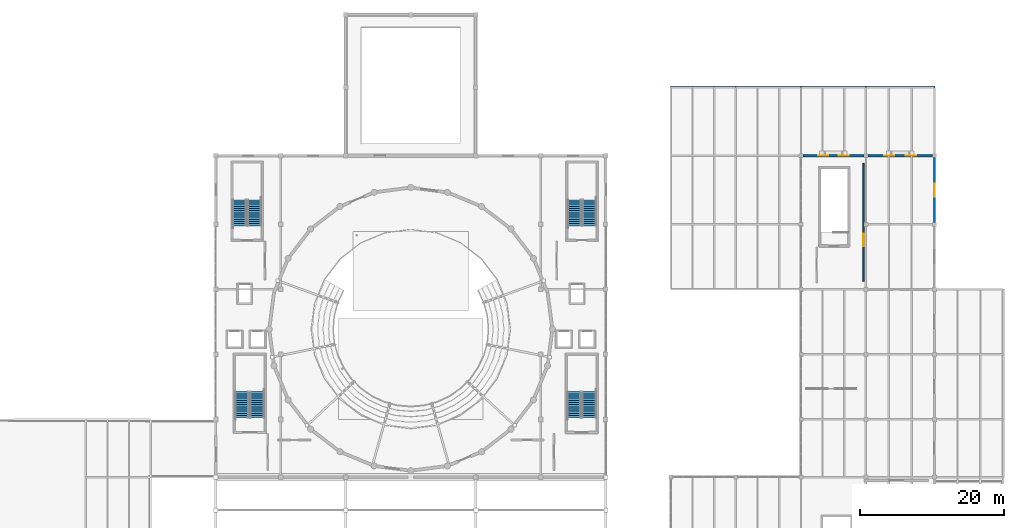
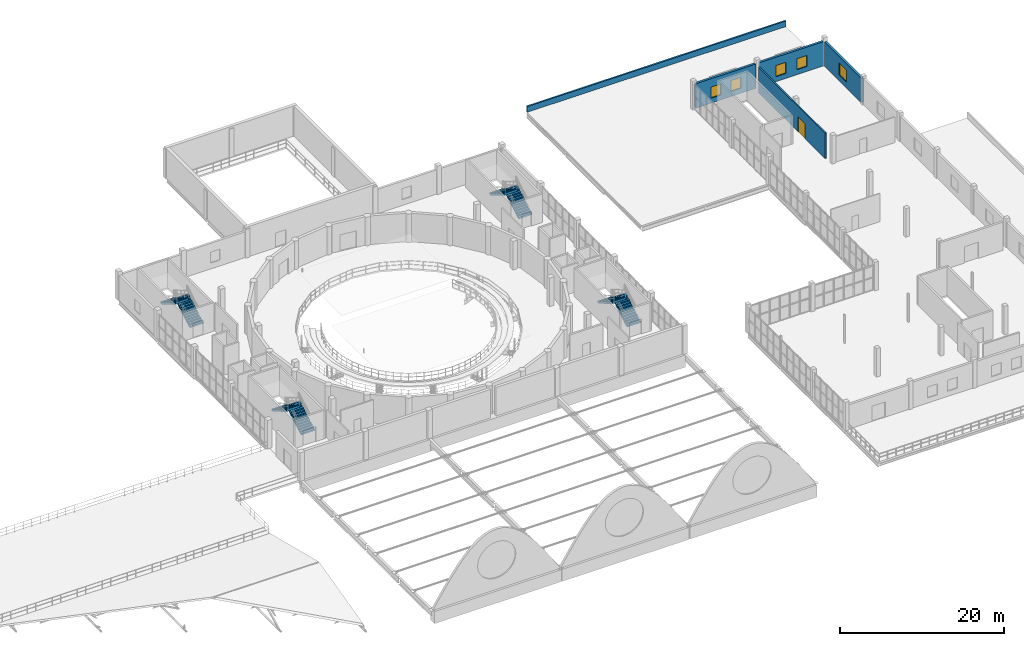
# One storey, part 45 of 54: 8 stair flights, 5 walls, 5 windows, 1 door, 6 openings, 4 elements without a shape of their own.
"""IFC4 building model written with IfcOpenShell, lengths in metres."""

from ifc_helpers import new_model, si_unit, direction, frame, frame_2d, origin, place, context, subcontext, project, spatial, polyline, rectangle, outline, extrude, material, layer, layer_set, type_object, element, fill, aggregate, save


model = new_model("IFC4")

# Units and contexts
model_context = context("Model", 3, precision=1e-05, world=origin(), true_north=direction((0.0, 1.0)))
body_context = subcontext(model_context, "Body", "Model", "MODEL_VIEW")
ifc_project = project(units=[si_unit("LENGTHUNIT", "METRE"), si_unit("AREAUNIT", "SQUARE_METRE"), si_unit("VOLUMEUNIT", "CUBIC_METRE"), si_unit("PLANEANGLEUNIT", "RADIAN"), si_unit("MASSUNIT", "GRAM", prefix="KILO")], contexts=[model_context])

# Site, building, storey
site_placement = place(None, origin())
site = spatial("IfcSite", under=ifc_project, at=site_placement, CompositionType="ELEMENT")
building_placement = place(site_placement, origin())
building = spatial("IfcBuilding", under=site, at=building_placement, Name="Marnock Terrace Opera House", CompositionType="ELEMENT")
storey_placement = place(building_placement, frame((0.0, 0.0, 19.199951171875)))
storey = spatial("IfcBuildingStorey", under=building, at=storey_placement, Name="L04", CompositionType="ELEMENT", Elevation=19.199951171875)

# Wall, opening, window
ifc_material_1 = material(Name="Basket Range sandstone ashlar masonry", Category="masonry")
ifc_layer_1 = layer(ifc_material_1, 0.31005859375)
ifc_layer_set_1 = layer_set([ifc_layer_1], Name="Basket Range sandstone ashlar masonry")
wall_type_1 = type_object("IfcWallType", Name="EW-ATTIC-310", PredefinedType="SOLIDWALL", material=ifc_layer_set_1)
wall_1_placement = place(storey_placement, frame((154.5, 75.27099609375, 0.0), z_axis=(0.0, 0.0, 1.0), x_axis=(0.0, 1.0, 0.0)))
wall_1 = element("IfcWall", 1, at=wall_1_placement, inside=storey, type_object=wall_type_1, Name="L04 Volume 5 east sandstone facade 9", PredefinedType="SOLIDWALL", context=body_context, shape_type="SweptSolid", body=[
    extrude(rectangle(XDim=8.9580078125, YDim=0.31005859375, at=frame_2d((4.47900390625, 0.0))), origin(), (0.0, 0.0, 1.0), 3.64794921875),
])
opening_1_placement = place(wall_1_placement, frame((3.5791015625, 0.0, 0.85009765625)))
opening_1 = element("IfcOpeningElement", 2, at=opening_1_placement, cuts=wall_1, Name="Opening WT-16", PredefinedType="OPENING", context=body_context, shape_type="SweptSolid", body=[
    extrude(rectangle(XDim=1.800048828125, YDim=1.800048828125, at=frame_2d((0.89990234375, 0.89990234375))), frame((0.0, 0.1650390625, 0.0), z_axis=(0.0, -1.0, 0.0), x_axis=(1.0, 0.0, 0.0)), (0.0, 0.0, 1.0), 0.330078125),
])
ifc_material_2 = material(Name="Double-glazed acoustic low-E laminated glass", Category="glass")
window_type_1 = type_object("IfcWindowType", Name="WT-ATTIC-1800", PartitioningType="DOUBLE_PANEL_VERTICAL", PredefinedType="WINDOW", material=ifc_material_2)
window_1_placement = place(opening_1_placement, origin())
window_1 = element("IfcWindow", 3, at=window_1_placement, inside=storey, type_object=window_type_1, Name="L04 facade window EW-V5E-L04-09.1", OverallHeight=1.800048828125, OverallWidth=1.800048828125, PartitioningType="SINGLE_PANEL", PredefinedType="WINDOW", context=body_context, shape_type="SweptSolid", body=[
    extrude(rectangle(XDim=1.800048828125, YDim=1.800048828125, at=frame_2d((0.89990234375, 0.89990234375))), frame((0.0, 0.030029296875, 0.0), z_axis=(0.0, -1.0, 0.0), x_axis=(1.0, 0.0, 0.0)), (0.0, 0.0, 1.0), 0.06005859375),
])
fill(opening_1, window_1)

# Wall, openings, windows
wall_2_placement = place(storey_placement, frame((136.27099609375, 84.5, 0.0), z_axis=(0.0, 0.0, 1.0), x_axis=(1.0, 0.0, 0.0)))
wall_2 = element("IfcWall", 4, at=wall_2_placement, inside=storey, type_object=wall_type_1, Name="L04 Volume 5 north parklands facade 1", PredefinedType="SOLIDWALL", context=body_context, shape_type="SweptSolid", body=[
    extrude(rectangle(XDim=8.4580078125, YDim=0.31005859375, at=frame_2d((4.22900390625, 0.0))), origin(), (0.0, 0.0, 1.0), 3.64306640625),
])
opening_2_placement = place(wall_2_placement, frame((2.119384765625, 0.0, 0.75)))
opening_2 = element("IfcOpeningElement", 5, at=opening_2_placement, cuts=wall_2, Name="Opening WT-138", PredefinedType="OPENING", context=body_context, shape_type="SweptSolid", body=[
    extrude(rectangle(XDim=1.39990234375, YDim=1.64990234375, at=frame_2d((0.699951171875, 0.824951171875))), frame((0.0, 0.1650390625, 0.0), z_axis=(0.0, -1.0, 0.0), x_axis=(1.0, 0.0, 0.0)), (0.0, 0.0, 1.0), 0.330078125),
])
opening_3_placement = place(wall_2_placement, frame((4.938720703125, 0.0, 0.75)))
opening_3 = element("IfcOpeningElement", 6, at=opening_3_placement, cuts=wall_2, Name="Opening WT-138", PredefinedType="OPENING", context=body_context, shape_type="SweptSolid", body=[
    extrude(rectangle(XDim=1.39990234375, YDim=1.64990234375, at=frame_2d((0.699951171875, 0.824951171875))), frame((0.0, 0.1650390625, 0.0), z_axis=(0.0, -1.0, 0.0), x_axis=(1.0, 0.0, 0.0)), (0.0, 0.0, 1.0), 0.330078125),
])
window_type_2 = type_object("IfcWindowType", Name="WT-ATTIC-1400", PartitioningType="SINGLE_PANEL", PredefinedType="WINDOW", material=ifc_material_2)
window_2_placement = place(opening_2_placement, origin())
window_2 = element("IfcWindow", 7, at=window_2_placement, inside=storey, type_object=window_type_2, Name="L04 facade window EW-V5N-L04-1.1", OverallHeight=1.64990234375, OverallWidth=1.39990234375, PartitioningType="SINGLE_PANEL", PredefinedType="WINDOW", context=body_context, shape_type="SweptSolid", body=[
    extrude(rectangle(XDim=1.39990234375, YDim=1.64990234375, at=frame_2d((0.699951171875, 0.824951171875))), frame((0.0, 0.030029296875, 0.0), z_axis=(0.0, -1.0, 0.0), x_axis=(1.0, 0.0, 0.0)), (0.0, 0.0, 1.0), 0.06005859375),
])
fill(opening_2, window_2)
window_3_placement = place(opening_3_placement, origin())
window_3 = element("IfcWindow", 8, at=window_3_placement, inside=storey, type_object=window_type_2, Name="L04 facade window EW-V5N-L04-1.2", OverallHeight=1.64990234375, OverallWidth=1.39990234375, PartitioningType="SINGLE_PANEL", PredefinedType="WINDOW", context=body_context, shape_type="SweptSolid", body=[
    extrude(rectangle(XDim=1.39990234375, YDim=1.64990234375, at=frame_2d((0.699951171875, 0.824951171875))), frame((0.0, 0.030029296875, 0.0), z_axis=(0.0, -1.0, 0.0), x_axis=(1.0, 0.0, 0.0)), (0.0, 0.0, 1.0), 0.06005859375),
])
fill(opening_3, window_3)

wall_3_placement = place(storey_placement, frame((145.27099609375, 84.5, 0.0), z_axis=(0.0, 0.0, 1.0), x_axis=(1.0, 0.0, 0.0)))
wall_3 = element("IfcWall", 9, at=wall_3_placement, inside=storey, type_object=wall_type_1, Name="L04 Volume 5 north parklands facade 2", PredefinedType="SOLIDWALL", context=body_context, shape_type="SweptSolid", body=[
    extrude(rectangle(XDim=8.9580078125, YDim=0.31005859375, at=frame_2d((4.47900390625, 0.0))), origin(), (0.0, 0.0, 1.0), 3.638427734375),
])
opening_4_placement = place(wall_3_placement, frame((2.285888671875, 0.0, 0.75)))
opening_4 = element("IfcOpeningElement", 10, at=opening_4_placement, cuts=wall_3, Name="Opening WT-138", PredefinedType="OPENING", context=body_context, shape_type="SweptSolid", body=[
    extrude(rectangle(XDim=1.39990234375, YDim=1.64990234375, at=frame_2d((0.699951171875, 0.824951171875))), frame((0.0, 0.1650390625, 0.0), z_axis=(0.0, -1.0, 0.0), x_axis=(1.0, 0.0, 0.0)), (0.0, 0.0, 1.0), 0.330078125),
])
opening_5_placement = place(wall_3_placement, frame((5.27197265625, 0.0, 0.75)))
opening_5 = element("IfcOpeningElement", 11, at=opening_5_placement, cuts=wall_3, Name="Opening WT-138", PredefinedType="OPENING", context=body_context, shape_type="SweptSolid", body=[
    extrude(rectangle(XDim=1.39990234375, YDim=1.64990234375, at=frame_2d((0.699951171875, 0.824951171875))), frame((0.0, 0.1650390625, 0.0), z_axis=(0.0, -1.0, 0.0), x_axis=(1.0, 0.0, 0.0)), (0.0, 0.0, 1.0), 0.330078125),
])
window_4_placement = place(opening_4_placement, origin())
window_4 = element("IfcWindow", 12, at=window_4_placement, inside=storey, type_object=window_type_2, Name="L04 facade window EW-V5N-L04-2.1", OverallHeight=1.64990234375, OverallWidth=1.39990234375, PartitioningType="SINGLE_PANEL", PredefinedType="WINDOW", context=body_context, shape_type="SweptSolid", body=[
    extrude(rectangle(XDim=1.39990234375, YDim=1.64990234375, at=frame_2d((0.699951171875, 0.824951171875))), frame((0.0, 0.030029296875, 0.0), z_axis=(0.0, -1.0, 0.0), x_axis=(1.0, 0.0, 0.0)), (0.0, 0.0, 1.0), 0.06005859375),
])
fill(opening_4, window_4)
window_5_placement = place(opening_5_placement, origin())
window_5 = element("IfcWindow", 13, at=window_5_placement, inside=storey, type_object=window_type_2, Name="L04 facade window EW-V5N-L04-2.2", OverallHeight=1.64990234375, OverallWidth=1.39990234375, PartitioningType="SINGLE_PANEL", PredefinedType="WINDOW", context=body_context, shape_type="SweptSolid", body=[
    extrude(rectangle(XDim=1.39990234375, YDim=1.64990234375, at=frame_2d((0.699951171875, 0.824951171875))), frame((0.0, 0.030029296875, 0.0), z_axis=(0.0, -1.0, 0.0), x_axis=(1.0, 0.0, 0.0)), (0.0, 0.0, 1.0), 0.06005859375),
])
fill(opening_5, window_5)

# Wall
ifc_material_3 = material(Name="Pale hydraulic lime architectural render on masonry", Category="masonry")
ifc_layer_2 = layer(ifc_material_3, 0.22998046875)
ifc_layer_set_2 = layer_set([ifc_layer_2], Name="Pale hydraulic lime architectural render on masonry")
wall_type_2 = type_object("IfcWallType", Name="EW-PARA-230", PredefinedType="PARAPET", material=ifc_layer_set_2)
wall_4_placement = place(storey_placement, frame((118.0, 94.0, 0.0), z_axis=(0.0, 0.0, 1.0), x_axis=(1.0, 0.0, 0.0)))
element("IfcWall", 14, at=wall_4_placement, inside=storey, type_object=wall_type_2, Name="Stone parapet PARA-V5-L04-N", PredefinedType="PARAPET", context=body_context, shape_type="SweptSolid", body=[
    extrude(rectangle(XDim=36.5, YDim=0.22998046875, at=frame_2d((18.25, 0.0))), origin(), (0.0, 0.0, 1.0), 0.85009765625),
])

# Wall, opening, door
ifc_material_4 = material(Name="Rendered acoustic concrete blockwork", Category="masonry")
ifc_layer_3 = layer(ifc_material_4, 0.195068359375)
ifc_layer_set_3 = layer_set([ifc_layer_3], Name="Rendered acoustic concrete blockwork")
wall_type_3 = type_object("IfcWallType", Name="IW-FIRE-195", PredefinedType="PARTITIONING", material=ifc_layer_set_3)
wall_5_placement = place(storey_placement, frame((144.64990234375, 67.14990234375, 0.0), z_axis=(0.0, 0.0, 1.0), x_axis=(0.0, 1.0, 0.0)))
wall_5 = element("IfcWall", 15, at=wall_5_placement, inside=storey, type_object=wall_type_3, Name="L04 East Attic AHU Plant Room acoustic partition wall", PredefinedType="PARTITIONING", context=body_context, shape_type="SweptSolid", body=[
    extrude(rectangle(XDim=16.300048828125, YDim=0.195068359375, at=frame_2d((8.14990234375, 0.0))), origin(), (0.0, 0.0, 1.0), 3.792724609375),
])
opening_6_placement = place(wall_5_placement, frame((4.85498046875, 0.0, 0.0)))
opening_6 = element("IfcOpeningElement", 16, at=opening_6_placement, cuts=wall_5, Name="Opening D-L04-09", PredefinedType="OPENING", context=body_context, shape_type="SweptSolid", body=[
    extrude(rectangle(XDim=1.699951171875, YDim=2.25, at=frame_2d((0.85009765625, 1.125))), frame((0.0, 0.107421875, 0.0), z_axis=(0.0, -1.0, 0.0), x_axis=(1.0, 0.0, 0.0)), (0.0, 0.0, 1.0), 0.215087890625),
])
ifc_material_5 = material(Name="Fire-rated acoustic timber-core door assembly", Category="wood")
door_type = type_object("IfcDoorType", Name="DT-PLANT-1700", OperationType="NOTDEFINED", PredefinedType="DOOR", material=ifc_material_5)
door_placement = place(opening_6_placement, origin())
door = element("IfcDoor", 17, at=door_placement, inside=storey, type_object=door_type, Name="L04 East Attic AHU Plant Room entrance door", OperationType="SINGLE_SWING_RIGHT", OverallHeight=2.25, OverallWidth=1.699951171875, PredefinedType="DOOR", context=body_context, shape_type="SweptSolid", body=[
    extrude(rectangle(XDim=1.699951171875, YDim=2.25, at=frame_2d((0.85009765625, 1.125))), frame((0.0, 0.02490234375, 0.0), z_axis=(0.0, -1.0, 0.0), x_axis=(1.0, 0.0, 0.0)), (0.0, 0.0, 1.0), 0.050048828125),
])
fill(opening_6, door)

# Stair, stair flights
ifc_material_6 = material(Name="Concrete N40 (f'c = 40 MPa)", Category="concrete")
stair_type_1 = type_object("IfcStairType", Name="ST-TYPE-2400", PredefinedType="HALF_TURN_STAIR", material=ifc_material_6)
stair_1_placement = place(storey_placement, origin())
stair_1 = element("IfcStair", 18, at=stair_1_placement, inside=storey, type_object=stair_type_1, Name="L04 ST-03", PredefinedType="HALF_TURN_STAIR")
stair_flight_type_1 = type_object("IfcStairFlightType", Name="FLT-TYPE-2400", PredefinedType="STRAIGHT", material=ifc_material_6)
stair_flight_1_placement = place(storey_placement, frame((60.3798828125, 74.800048828125, 0.0), z_axis=(0.0, 0.0, 1.0), x_axis=(0.0, 1.0, 0.0)))
stair_flight_1 = element("IfcStairFlight", 19, at=stair_flight_1_placement, type_object=stair_flight_type_1, Name="ST-03 flight 1", NumberOfRisers=13, NumberOfTreads=12, PredefinedType="STRAIGHT", RiserHeight=0.173076923, TreadLength=0.3, context=body_context, shape_type="SweptSolid", body=[
    extrude(outline(polyline([(-0.00048828125, -0.06005859375), (-0.00048828125, 0.0), (0.0, 0.0), (0.0, 0.173095703125), (0.300048828125, 0.173095703125), (0.300048828125, 0.34619140625), (0.60009765625, 0.34619140625), (0.60009765625, 0.519287109375), (0.89990234375, 0.519287109375), (0.89990234375, 0.6923828125), (1.199951171875, 0.6923828125), (1.199951171875, 0.865478515625), (1.5, 0.865478515625), (1.5, 1.03857421875), (1.800048828125, 1.03857421875), (1.800048828125, 1.21142578125), (2.10009765625, 1.21142578125), (2.10009765625, 1.384521484375), (2.39990234375, 1.384521484375), (2.39990234375, 1.5576171875), (2.699951171875, 1.5576171875), (2.699951171875, 1.730712890625), (3.0, 1.730712890625), (3.0, 1.90380859375), (3.300048828125, 1.90380859375), (3.300048828125, 2.076904296875), (3.60009765625, 2.076904296875), (3.60009765625, 2.25), (3.6005859375, 2.25), (3.6005859375, 1.90380859375), (3.60009765625, 1.90380859375), (0.300048828125, -0.06005859375), (-0.00048828125, -0.06005859375)])), frame((0.0, 0.93994140625, 0.0), z_axis=(0.0, -1.0, 0.0), x_axis=(1.0, 0.0, 0.0)), (0.0, 0.0, 1.0), 1.8798828125),
])
stair_flight_2_placement = place(storey_placement, frame((58.300048828125, 78.39990234375, 2.25), z_axis=(0.0, 0.0, 1.0), x_axis=(0.0, -1.0, 0.0)))
stair_flight_2 = element("IfcStairFlight", 20, at=stair_flight_2_placement, type_object=stair_flight_type_1, Name="ST-03 flight 2", NumberOfRisers=13, NumberOfTreads=12, PredefinedType="STRAIGHT", RiserHeight=0.173076923, TreadLength=0.3, context=body_context, shape_type="SweptSolid", body=[
    extrude(outline(polyline([(-0.00048828125, -0.06005859375), (-0.00048828125, 0.0), (0.0, 0.0), (0.0, 0.173095703125), (0.300048828125, 0.173095703125), (0.300048828125, 0.34619140625), (0.60009765625, 0.34619140625), (0.60009765625, 0.519287109375), (0.89990234375, 0.519287109375), (0.89990234375, 0.6923828125), (1.199951171875, 0.6923828125), (1.199951171875, 0.865478515625), (1.5, 0.865478515625), (1.5, 1.03857421875), (1.800048828125, 1.03857421875), (1.800048828125, 1.21142578125), (2.10009765625, 1.21142578125), (2.10009765625, 1.384521484375), (2.39990234375, 1.384521484375), (2.39990234375, 1.5576171875), (2.699951171875, 1.5576171875), (2.699951171875, 1.730712890625), (3.0, 1.730712890625), (3.0, 1.90380859375), (3.300048828125, 1.90380859375), (3.300048828125, 2.076904296875), (3.60009765625, 2.076904296875), (3.60009765625, 2.25), (3.6005859375, 2.25), (3.6005859375, 1.90380859375), (3.60009765625, 1.90380859375), (0.300048828125, -0.06005859375), (-0.00048828125, -0.06005859375)])), frame((0.0, 0.93994140625, 0.0), z_axis=(0.0, -1.0, 0.0), x_axis=(1.0, 0.0, 0.0)), (0.0, 0.0, 1.0), 1.8798828125),
])
aggregate(stair_1, [stair_flight_1, stair_flight_2])

stair_2_placement = place(storey_placement, origin())
stair_2 = element("IfcStair", 21, at=stair_2_placement, inside=storey, type_object=stair_type_1, Name="L04 ST-04", PredefinedType="HALF_TURN_STAIR")
stair_flight_3_placement = place(storey_placement, frame((106.739990234375, 74.800048828125, 0.0), z_axis=(0.0, 0.0, 1.0), x_axis=(0.0, 1.0, 0.0)))
stair_flight_3 = element("IfcStairFlight", 22, at=stair_flight_3_placement, type_object=stair_flight_type_1, Name="ST-04 flight 1", NumberOfRisers=13, NumberOfTreads=12, PredefinedType="STRAIGHT", RiserHeight=0.173076923, TreadLength=0.3, context=body_context, shape_type="SweptSolid", body=[
    extrude(outline(polyline([(-0.00048828125, -0.06005859375), (-0.00048828125, 0.0), (0.0, 0.0), (0.0, 0.173095703125), (0.300048828125, 0.173095703125), (0.300048828125, 0.34619140625), (0.60009765625, 0.34619140625), (0.60009765625, 0.519287109375), (0.89990234375, 0.519287109375), (0.89990234375, 0.6923828125), (1.199951171875, 0.6923828125), (1.199951171875, 0.865478515625), (1.5, 0.865478515625), (1.5, 1.03857421875), (1.800048828125, 1.03857421875), (1.800048828125, 1.21142578125), (2.10009765625, 1.21142578125), (2.10009765625, 1.384521484375), (2.39990234375, 1.384521484375), (2.39990234375, 1.5576171875), (2.699951171875, 1.5576171875), (2.699951171875, 1.730712890625), (3.0, 1.730712890625), (3.0, 1.90380859375), (3.300048828125, 1.90380859375), (3.300048828125, 2.076904296875), (3.60009765625, 2.076904296875), (3.60009765625, 2.25), (3.6005859375, 2.25), (3.6005859375, 1.90380859375), (3.60009765625, 1.90380859375), (0.300048828125, -0.06005859375), (-0.00048828125, -0.06005859375)])), frame((0.0, 0.93994140625, 0.0), z_axis=(0.0, -1.0, 0.0), x_axis=(1.0, 0.0, 0.0)), (0.0, 0.0, 1.0), 1.8798828125),
])
stair_flight_4_placement = place(storey_placement, frame((104.659912109375, 78.39990234375, 2.25), z_axis=(0.0, 0.0, 1.0), x_axis=(0.0, -1.0, 0.0)))
stair_flight_4 = element("IfcStairFlight", 23, at=stair_flight_4_placement, type_object=stair_flight_type_1, Name="ST-04 flight 2", NumberOfRisers=13, NumberOfTreads=12, PredefinedType="STRAIGHT", RiserHeight=0.173076923, TreadLength=0.3, context=body_context, shape_type="SweptSolid", body=[
    extrude(outline(polyline([(-0.00048828125, -0.06005859375), (-0.00048828125, 0.0), (0.0, 0.0), (0.0, 0.173095703125), (0.300048828125, 0.173095703125), (0.300048828125, 0.34619140625), (0.60009765625, 0.34619140625), (0.60009765625, 0.519287109375), (0.89990234375, 0.519287109375), (0.89990234375, 0.6923828125), (1.199951171875, 0.6923828125), (1.199951171875, 0.865478515625), (1.5, 0.865478515625), (1.5, 1.03857421875), (1.800048828125, 1.03857421875), (1.800048828125, 1.21142578125), (2.10009765625, 1.21142578125), (2.10009765625, 1.384521484375), (2.39990234375, 1.384521484375), (2.39990234375, 1.5576171875), (2.699951171875, 1.5576171875), (2.699951171875, 1.730712890625), (3.0, 1.730712890625), (3.0, 1.90380859375), (3.300048828125, 1.90380859375), (3.300048828125, 2.076904296875), (3.60009765625, 2.076904296875), (3.60009765625, 2.25), (3.6005859375, 2.25), (3.6005859375, 1.90380859375), (3.60009765625, 1.90380859375), (0.300048828125, -0.06005859375), (-0.00048828125, -0.06005859375)])), frame((0.0, 0.93994140625, 0.0), z_axis=(0.0, -1.0, 0.0), x_axis=(1.0, 0.0, 0.0)), (0.0, 0.0, 1.0), 1.8798828125),
])
aggregate(stair_2, [stair_flight_3, stair_flight_4])

stair_type_2 = type_object("IfcStairType", Name="ST-TYPE-2600", PredefinedType="HALF_TURN_STAIR", material=ifc_material_6)
stair_3_placement = place(storey_placement, origin())
stair_3 = element("IfcStair", 24, at=stair_3_placement, inside=storey, type_object=stair_type_2, Name="L04 ST-01", PredefinedType="HALF_TURN_STAIR")
stair_flight_type_2 = type_object("IfcStairFlightType", Name="FLT-TYPE-2600", PredefinedType="STRAIGHT", material=ifc_material_6)
stair_flight_5_placement = place(storey_placement, frame((60.760009765625, 48.239990234375, 0.0), z_axis=(0.0, 0.0, 1.0), x_axis=(0.0, 1.0, 0.0)))
stair_flight_5 = element("IfcStairFlight", 25, at=stair_flight_5_placement, type_object=stair_flight_type_2, Name="ST-01 flight 1", NumberOfRisers=13, NumberOfTreads=12, PredefinedType="STRAIGHT", RiserHeight=0.173076923, TreadLength=0.3, context=body_context, shape_type="SweptSolid", body=[
    extrude(outline(polyline([(-0.00048828125, -0.06005859375), (-0.00048828125, 0.0), (0.0, 0.0), (0.0, 0.173095703125), (0.300048828125, 0.173095703125), (0.300048828125, 0.34619140625), (0.60009765625, 0.34619140625), (0.60009765625, 0.519287109375), (0.89990234375, 0.519287109375), (0.89990234375, 0.6923828125), (1.199951171875, 0.6923828125), (1.199951171875, 0.865478515625), (1.5, 0.865478515625), (1.5, 1.03857421875), (1.800048828125, 1.03857421875), (1.800048828125, 1.21142578125), (2.10009765625, 1.21142578125), (2.10009765625, 1.384521484375), (2.39990234375, 1.384521484375), (2.39990234375, 1.5576171875), (2.699951171875, 1.5576171875), (2.699951171875, 1.730712890625), (3.0, 1.730712890625), (3.0, 1.90380859375), (3.300048828125, 1.90380859375), (3.300048828125, 2.076904296875), (3.60009765625, 2.076904296875), (3.60009765625, 2.25), (3.6005859375, 2.25), (3.6005859375, 1.90380859375), (3.60009765625, 1.90380859375), (0.300048828125, -0.06005859375), (-0.00048828125, -0.06005859375)])), frame((0.0, 0.9599609375, 0.0), z_axis=(0.0, -1.0, 0.0), x_axis=(1.0, 0.0, 0.0)), (0.0, 0.0, 1.0), 1.919921875),
])
stair_flight_6_placement = place(storey_placement, frame((58.639892578125, 51.840087890625, 2.25), z_axis=(0.0, 0.0, 1.0), x_axis=(0.0, -1.0, 0.0)))
stair_flight_6 = element("IfcStairFlight", 26, at=stair_flight_6_placement, type_object=stair_flight_type_2, Name="ST-01 flight 2", NumberOfRisers=13, NumberOfTreads=12, PredefinedType="STRAIGHT", RiserHeight=0.173076923, TreadLength=0.3, context=body_context, shape_type="SweptSolid", body=[
    extrude(outline(polyline([(-0.00048828125, -0.06005859375), (-0.00048828125, 0.0), (0.0, 0.0), (0.0, 0.173095703125), (0.300048828125, 0.173095703125), (0.300048828125, 0.34619140625), (0.60009765625, 0.34619140625), (0.60009765625, 0.519287109375), (0.89990234375, 0.519287109375), (0.89990234375, 0.6923828125), (1.199951171875, 0.6923828125), (1.199951171875, 0.865478515625), (1.5, 0.865478515625), (1.5, 1.03857421875), (1.800048828125, 1.03857421875), (1.800048828125, 1.21142578125), (2.10009765625, 1.21142578125), (2.10009765625, 1.384521484375), (2.39990234375, 1.384521484375), (2.39990234375, 1.5576171875), (2.699951171875, 1.5576171875), (2.699951171875, 1.730712890625), (3.0, 1.730712890625), (3.0, 1.90380859375), (3.300048828125, 1.90380859375), (3.300048828125, 2.076904296875), (3.60009765625, 2.076904296875), (3.60009765625, 2.25), (3.6005859375, 2.25), (3.6005859375, 1.90380859375), (3.60009765625, 1.90380859375), (0.300048828125, -0.06005859375), (-0.00048828125, -0.06005859375)])), frame((0.0, 0.9599609375, 0.0), z_axis=(0.0, -1.0, 0.0), x_axis=(1.0, 0.0, 0.0)), (0.0, 0.0, 1.0), 1.919921875),
])
aggregate(stair_3, [stair_flight_5, stair_flight_6])

stair_4_placement = place(storey_placement, origin())
stair_4 = element("IfcStair", 27, at=stair_4_placement, inside=storey, type_object=stair_type_2, Name="L04 ST-02", PredefinedType="HALF_TURN_STAIR")
stair_flight_7_placement = place(storey_placement, frame((106.719970703125, 48.239990234375, 0.0), z_axis=(0.0, 0.0, 1.0), x_axis=(0.0, 1.0, 0.0)))
stair_flight_7 = element("IfcStairFlight", 28, at=stair_flight_7_placement, type_object=stair_flight_type_2, Name="ST-02 flight 1", NumberOfRisers=13, NumberOfTreads=12, PredefinedType="STRAIGHT", RiserHeight=0.173076923, TreadLength=0.3, context=body_context, shape_type="SweptSolid", body=[
    extrude(outline(polyline([(-0.00048828125, -0.06005859375), (-0.00048828125, 0.0), (0.0, 0.0), (0.0, 0.173095703125), (0.300048828125, 0.173095703125), (0.300048828125, 0.34619140625), (0.60009765625, 0.34619140625), (0.60009765625, 0.519287109375), (0.89990234375, 0.519287109375), (0.89990234375, 0.6923828125), (1.199951171875, 0.6923828125), (1.199951171875, 0.865478515625), (1.5, 0.865478515625), (1.5, 1.03857421875), (1.800048828125, 1.03857421875), (1.800048828125, 1.21142578125), (2.10009765625, 1.21142578125), (2.10009765625, 1.384521484375), (2.39990234375, 1.384521484375), (2.39990234375, 1.5576171875), (2.699951171875, 1.5576171875), (2.699951171875, 1.730712890625), (3.0, 1.730712890625), (3.0, 1.90380859375), (3.300048828125, 1.90380859375), (3.300048828125, 2.076904296875), (3.60009765625, 2.076904296875), (3.60009765625, 2.25), (3.6005859375, 2.25), (3.6005859375, 1.90380859375), (3.60009765625, 1.90380859375), (0.300048828125, -0.06005859375), (-0.00048828125, -0.06005859375)])), frame((0.0, 0.9599609375, 0.0), z_axis=(0.0, -1.0, 0.0), x_axis=(1.0, 0.0, 0.0)), (0.0, 0.0, 1.0), 1.919921875),
])
stair_flight_8_placement = place(storey_placement, frame((104.60009765625, 51.840087890625, 2.25), z_axis=(0.0, 0.0, 1.0), x_axis=(0.0, -1.0, 0.0)))
stair_flight_8 = element("IfcStairFlight", 29, at=stair_flight_8_placement, type_object=stair_flight_type_2, Name="ST-02 flight 2", NumberOfRisers=13, NumberOfTreads=12, PredefinedType="STRAIGHT", RiserHeight=0.173076923, TreadLength=0.3, context=body_context, shape_type="SweptSolid", body=[
    extrude(outline(polyline([(-0.00048828125, -0.06005859375), (-0.00048828125, 0.0), (0.0, 0.0), (0.0, 0.173095703125), (0.300048828125, 0.173095703125), (0.300048828125, 0.34619140625), (0.60009765625, 0.34619140625), (0.60009765625, 0.519287109375), (0.89990234375, 0.519287109375), (0.89990234375, 0.6923828125), (1.199951171875, 0.6923828125), (1.199951171875, 0.865478515625), (1.5, 0.865478515625), (1.5, 1.03857421875), (1.800048828125, 1.03857421875), (1.800048828125, 1.21142578125), (2.10009765625, 1.21142578125), (2.10009765625, 1.384521484375), (2.39990234375, 1.384521484375), (2.39990234375, 1.5576171875), (2.699951171875, 1.5576171875), (2.699951171875, 1.730712890625), (3.0, 1.730712890625), (3.0, 1.90380859375), (3.300048828125, 1.90380859375), (3.300048828125, 2.076904296875), (3.60009765625, 2.076904296875), (3.60009765625, 2.25), (3.6005859375, 2.25), (3.6005859375, 1.90380859375), (3.60009765625, 1.90380859375), (0.300048828125, -0.06005859375), (-0.00048828125, -0.06005859375)])), frame((0.0, 0.9599609375, 0.0), z_axis=(0.0, -1.0, 0.0), x_axis=(1.0, 0.0, 0.0)), (0.0, 0.0, 1.0), 1.919921875),
])
aggregate(stair_4, [stair_flight_7, stair_flight_8])

save(model, "model.ifc")
